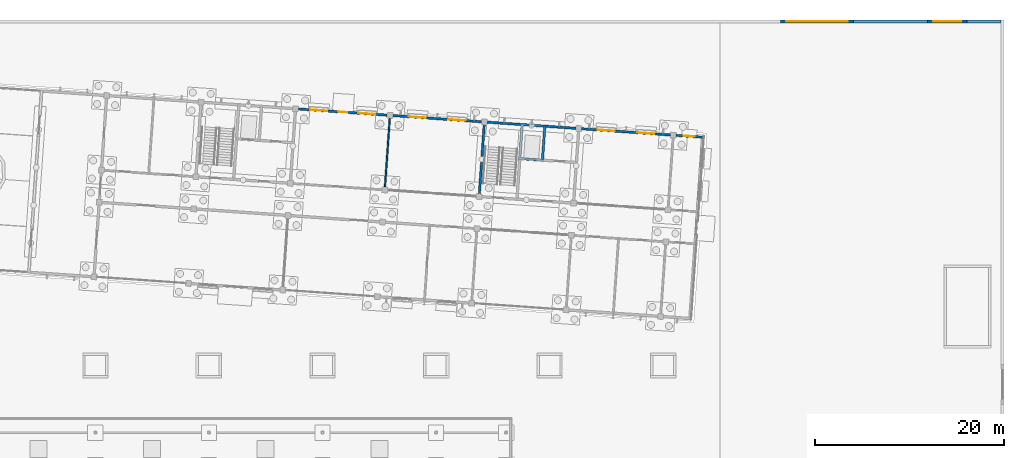
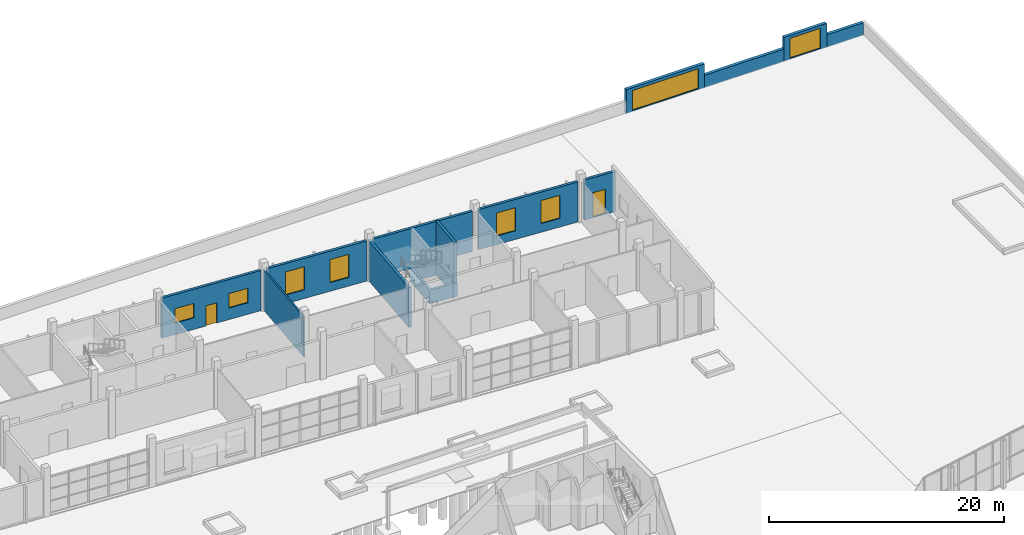
# One storey, part 111 of 157: 13 walls, 7 windows, 3 doors, 10 openings.
"""IFC4 building model written with IfcOpenShell, lengths in metres."""

from ifc_helpers import new_model, si_unit, direction, frame, frame_2d, origin, place, context, subcontext, project, spatial, polyline, rectangle, outline, extrude, material, layer, layer_set, type_object, element, fill, save


model = new_model("IFC4")

# Units and contexts
model_context = context("Model", 3, precision=1e-05, world=origin(), true_north=direction((0.0, 1.0)))
body_context = subcontext(model_context, "Body", "Model", "MODEL_VIEW")
ifc_project = project(units=[si_unit("LENGTHUNIT", "METRE"), si_unit("AREAUNIT", "SQUARE_METRE"), si_unit("VOLUMEUNIT", "CUBIC_METRE"), si_unit("PLANEANGLEUNIT", "RADIAN"), si_unit("MASSUNIT", "GRAM", prefix="KILO")], contexts=[model_context])

# Site, building, storey
site_placement = place(None, origin())
site = spatial("IfcSite", under=ifc_project, at=site_placement, CompositionType="ELEMENT")
building_placement = place(site_placement, origin())
building = spatial("IfcBuilding", under=site, at=building_placement, Name="Windward Yard Aquatics Centre", CompositionType="ELEMENT")
storey_placement = place(building_placement, origin())
storey = spatial("IfcBuildingStorey", under=building, at=storey_placement, Name="L00", CompositionType="ELEMENT", Elevation=0.0)

# Walls
ifc_material_1 = material(Name="Concrete C40/50", Category="concrete")
ifc_layer_1 = layer(ifc_material_1, 0.25)
ifc_layer_set_1 = layer_set([ifc_layer_1], Name="W RC core wall 250 Concrete C40/50")
wall_type_1 = type_object("IfcWallType", Name="W RC core wall 250 Concrete C40/50", PredefinedType="SOLIDWALL", material=ifc_layer_set_1)
wall_1_placement = place(storey_placement, frame((149.404296875, 133.20703125, 0.0), z_axis=(0.0, 0.0, 1.0), x_axis=(0.997565530081, -0.069735308086, 0.0)))
element("IfcWall", 1, at=wall_1_placement, inside=storey, type_object=wall_type_1, Name="W.FW.L00.N.76.8", PredefinedType="SOLIDWALL", context=body_context, shape_type="SweptSolid", body=[
    extrude(rectangle(XDim=9.400146484375, YDim=0.25, at=frame_2d((4.7001953125, 0.0))), origin(), (0.0, 0.0, 1.0), 4.169921875),
])
wall_2_placement = place(storey_placement, frame((148.553955078125, 125.347412109375, 0.0), z_axis=(0.0, 0.0, 1.0), x_axis=(0.069751320509, 0.997564410596, 0.0)))
element("IfcWall", 2, at=wall_2_placement, inside=storey, type_object=wall_type_1, Name="W.WL.L00.011", PredefinedType="SOLIDWALL", context=body_context, shape_type="SweptSolid", body=[
    extrude(rectangle(XDim=7.89990234375, YDim=0.25, at=frame_2d((3.949951171875, 0.0))), origin(), (0.0, 0.0, 1.0), 4.169921875),
])
wall_3_placement = place(storey_placement, frame((155.23828125, 129.1904296875, 0.0), z_axis=(0.0, 0.0, 1.0), x_axis=(0.06978660948, 0.997561942506, 0.0)))
element("IfcWall", 3, at=wall_3_placement, inside=storey, type_object=wall_type_1, Name="W.WL.L00.013", PredefinedType="SOLIDWALL", context=body_context, shape_type="SweptSolid", body=[
    extrude(rectangle(XDim=3.599853515625, YDim=0.25, at=frame_2d((1.7998046875, 0.0))), origin(), (0.0, 0.0, 1.0), 4.169921875),
])

# Wall, openings, door, windows
ifc_layer_2 = layer(ifc_material_1, 0.25)
ifc_layer_set_2 = layer_set([ifc_layer_2], Name="W facade wall 250 Precast Concrete C40/50")
wall_type_2 = type_object("IfcWallType", Name="W facade wall 250 Precast Concrete C40/50", PredefinedType="SOLIDWALL", material=ifc_layer_set_2)
wall_4_placement = place(storey_placement, frame((129.453125, 134.602294921875, 0.0), z_axis=(0.0, 0.0, 1.0), x_axis=(0.997563596579, -0.069762961373, 0.0)))
wall_4 = element("IfcWall", 4, at=wall_4_placement, inside=storey, type_object=wall_type_2, Name="W.FW.L00.N.56.8", PredefinedType="SOLIDWALL", context=body_context, shape_type="SweptSolid", body=[
    extrude(rectangle(XDim=9.39990234375, YDim=0.25, at=frame_2d((4.699951171875, 0.0))), origin(), (0.0, 0.0, 1.0), 4.169921875),
])
opening_1_placement = place(wall_4_placement, frame((4.199951171875, 0.0, 0.0)))
opening_1 = element("IfcOpeningElement", 5, at=opening_1_placement, cuts=wall_4, Name="Opening W0002", PredefinedType="OPENING", context=body_context, shape_type="SweptSolid", body=[
    extrude(rectangle(XDim=1.0, YDim=2.10009765625, at=frame_2d((0.5, 1.050048828125))), frame((0.0, 0.135009765625, 0.0), z_axis=(0.0, -1.0, 0.0), x_axis=(1.0, 0.0, 0.0)), (0.0, 0.0, 1.0), 0.27001953125),
])
opening_2_placement = place(wall_4_placement, frame((1.25, 0.0, 1.199951171875)))
opening_2 = element("IfcOpeningElement", 6, at=opening_2_placement, cuts=wall_4, Name="Opening W0505", PredefinedType="OPENING", context=body_context, shape_type="SweptSolid", body=[
    extrude(rectangle(XDim=1.800048828125, YDim=1.5, at=frame_2d((0.89990234375, 0.75))), frame((0.0, 0.135009765625, 0.0), z_axis=(0.0, -1.0, 0.0), x_axis=(1.0, 0.0, 0.0)), (0.0, 0.0, 1.0), 0.27001953125),
])
opening_3_placement = place(wall_4_placement, frame((6.35009765625, 0.0, 1.199951171875)))
opening_3 = element("IfcOpeningElement", 7, at=opening_3_placement, cuts=wall_4, Name="Opening W0506", PredefinedType="OPENING", context=body_context, shape_type="SweptSolid", body=[
    extrude(rectangle(XDim=1.800048828125, YDim=1.5, at=frame_2d((0.89990234375, 0.75))), frame((0.0, 0.135009765625, 0.0), z_axis=(0.0, -1.0, 0.0), x_axis=(1.0, 0.0, 0.0)), (0.0, 0.0, 1.0), 0.27001953125),
])
ifc_material_2 = material(Name="Timber door leaf", Category="wood")
door_type_1 = type_object("IfcDoorType", Name="W door 1000x2100", OperationType="SINGLE_SWING_LEFT", PredefinedType="DOOR", material=ifc_material_2)
door_1_placement = place(opening_1_placement, origin())
door_1 = element("IfcDoor", 8, at=door_1_placement, inside=storey, type_object=door_type_1, Name="W.DRX.L00.W0002", OperationType="SINGLE_SWING_RIGHT", OverallHeight=2.10009765625, OverallWidth=1.0, PredefinedType="DOOR", context=body_context, shape_type="SweptSolid", body=[
    extrude(rectangle(XDim=1.0, YDim=2.10009765625, at=frame_2d((0.5, 1.050048828125))), frame((0.0, 0.02490234375, 0.0), z_axis=(0.0, -1.0, 0.0), x_axis=(1.0, 0.0, 0.0)), (0.0, 0.0, 1.0), 0.050048828125),
])
fill(opening_1, door_1)
ifc_material_3 = material(Name="Aluminium storm louvre", Category="aluminium")
window_type_1 = type_object("IfcWindowType", Name="W storm louvre 1800x1500", PartitioningType="SINGLE_PANEL", PredefinedType="WINDOW", material=ifc_material_3)
window_1_placement = place(opening_2_placement, origin())
window_1 = element("IfcWindow", 9, at=window_1_placement, inside=storey, type_object=window_type_1, Name="W.WN.L00.W0505", OverallHeight=1.5, OverallWidth=1.800048828125, PartitioningType="SINGLE_PANEL", PredefinedType="WINDOW", context=body_context, shape_type="SweptSolid", body=[
    extrude(rectangle(XDim=1.800048828125, YDim=1.5, at=frame_2d((0.89990234375, 0.75))), frame((0.0, 0.030029296875, 0.0), z_axis=(0.0, -1.0, 0.0), x_axis=(1.0, 0.0, 0.0)), (0.0, 0.0, 1.0), 0.06005859375),
])
fill(opening_2, window_1)
window_2_placement = place(opening_3_placement, origin())
window_2 = element("IfcWindow", 10, at=window_2_placement, inside=storey, type_object=window_type_1, Name="W.WN.L00.W0506", OverallHeight=1.5, OverallWidth=1.800048828125, PartitioningType="SINGLE_PANEL", PredefinedType="WINDOW", context=body_context, shape_type="SweptSolid", body=[
    extrude(rectangle(XDim=1.800048828125, YDim=1.5, at=frame_2d((0.89990234375, 0.75))), frame((0.0, 0.030029296875, 0.0), z_axis=(0.0, -1.0, 0.0), x_axis=(1.0, 0.0, 0.0)), (0.0, 0.0, 1.0), 0.06005859375),
])
fill(opening_3, window_2)

# Wall, openings, windows
wall_5_placement = place(storey_placement, frame((139.4287109375, 133.90478515625, 0.0), z_axis=(0.0, 0.0, 1.0), x_axis=(0.997563722981, -0.069761153894, 0.0)))
wall_5 = element("IfcWall", 11, at=wall_5_placement, inside=storey, type_object=wall_type_2, Name="W.FW.L00.N.66.8", PredefinedType="SOLIDWALL", context=body_context, shape_type="SweptSolid", body=[
    extrude(rectangle(XDim=9.400146484375, YDim=0.25, at=frame_2d((4.7001953125, 0.0))), origin(), (0.0, 0.0, 1.0), 4.169921875),
])
opening_4_placement = place(wall_5_placement, frame((1.699951171875, 0.0, 0.89990234375)))
opening_4 = element("IfcOpeningElement", 12, at=opening_4_placement, cuts=wall_5, Name="Opening W0507", PredefinedType="OPENING", context=body_context, shape_type="SweptSolid", body=[
    extrude(rectangle(XDim=1.800048828125, YDim=2.39990234375, at=frame_2d((0.89990234375, 1.199951171875))), frame((0.0, 0.135009765625, 0.0), z_axis=(0.0, -1.0, 0.0), x_axis=(1.0, 0.0, 0.0)), (0.0, 0.0, 1.0), 0.27001953125),
])
opening_5_placement = place(wall_5_placement, frame((5.89990234375, 0.0, 0.89990234375)))
opening_5 = element("IfcOpeningElement", 13, at=opening_5_placement, cuts=wall_5, Name="Opening W0508", PredefinedType="OPENING", context=body_context, shape_type="SweptSolid", body=[
    extrude(rectangle(XDim=1.800048828125, YDim=2.39990234375, at=frame_2d((0.89990234375, 1.199951171875))), frame((0.0, 0.135009765625, 0.0), z_axis=(0.0, -1.0, 0.0), x_axis=(1.0, 0.0, 0.0)), (0.0, 0.0, 1.0), 0.27001953125),
])
ifc_material_4 = material(Name="Aluminium framed glazing", Category="aluminium")
window_type_2 = type_object("IfcWindowType", Name="W window 1800x2400", PartitioningType="SINGLE_PANEL", PredefinedType="WINDOW", material=ifc_material_4)
window_3_placement = place(opening_4_placement, origin())
window_3 = element("IfcWindow", 14, at=window_3_placement, inside=storey, type_object=window_type_2, Name="W.WN.L00.W0507", OverallHeight=2.39990234375, OverallWidth=1.800048828125, PartitioningType="SINGLE_PANEL", PredefinedType="WINDOW", context=body_context, shape_type="SweptSolid", body=[
    extrude(rectangle(XDim=1.800048828125, YDim=2.39990234375, at=frame_2d((0.89990234375, 1.199951171875))), frame((0.0, 0.030029296875, 0.0), z_axis=(0.0, -1.0, 0.0), x_axis=(1.0, 0.0, 0.0)), (0.0, 0.0, 1.0), 0.06005859375),
])
fill(opening_4, window_3)
window_4_placement = place(opening_5_placement, origin())
window_4 = element("IfcWindow", 15, at=window_4_placement, inside=storey, type_object=window_type_2, Name="W.WN.L00.W0508", OverallHeight=2.39990234375, OverallWidth=1.800048828125, PartitioningType="SINGLE_PANEL", PredefinedType="WINDOW", context=body_context, shape_type="SweptSolid", body=[
    extrude(rectangle(XDim=1.800048828125, YDim=2.39990234375, at=frame_2d((0.89990234375, 1.199951171875))), frame((0.0, 0.030029296875, 0.0), z_axis=(0.0, -1.0, 0.0), x_axis=(1.0, 0.0, 0.0)), (0.0, 0.0, 1.0), 0.06005859375),
])
fill(opening_5, window_4)

wall_6_placement = place(storey_placement, frame((159.3798828125, 132.509521484375, 0.0), z_axis=(0.0, 0.0, 1.0), x_axis=(0.997565530081, -0.069735308086, 0.0)))
wall_6 = element("IfcWall", 16, at=wall_6_placement, inside=storey, type_object=wall_type_2, Name="W.FW.L00.N.86.8", PredefinedType="SOLIDWALL", context=body_context, shape_type="SweptSolid", body=[
    extrude(rectangle(XDim=9.400146484375, YDim=0.25, at=frame_2d((4.7001953125, 0.0))), origin(), (0.0, 0.0, 1.0), 4.169921875),
])
opening_6_placement = place(wall_6_placement, frame((1.699951171875, 0.0, 0.89990234375)))
opening_6 = element("IfcOpeningElement", 17, at=opening_6_placement, cuts=wall_6, Name="Opening W0509", PredefinedType="OPENING", context=body_context, shape_type="SweptSolid", body=[
    extrude(rectangle(XDim=1.800048828125, YDim=2.39990234375, at=frame_2d((0.89990234375, 1.199951171875))), frame((0.0, 0.135009765625, 0.0), z_axis=(0.0, -1.0, 0.0), x_axis=(1.0, 0.0, 0.0)), (0.0, 0.0, 1.0), 0.27001953125),
])
opening_7_placement = place(wall_6_placement, frame((5.89990234375, 0.0, 0.89990234375)))
opening_7 = element("IfcOpeningElement", 18, at=opening_7_placement, cuts=wall_6, Name="Opening W0510", PredefinedType="OPENING", context=body_context, shape_type="SweptSolid", body=[
    extrude(rectangle(XDim=1.800048828125, YDim=2.39990234375, at=frame_2d((0.89990234375, 1.199951171875))), frame((0.0, 0.135009765625, 0.0), z_axis=(0.0, -1.0, 0.0), x_axis=(1.0, 0.0, 0.0)), (0.0, 0.0, 1.0), 0.27001953125),
])
window_5_placement = place(opening_6_placement, origin())
window_5 = element("IfcWindow", 19, at=window_5_placement, inside=storey, type_object=window_type_2, Name="W.WN.L00.W0509", OverallHeight=2.39990234375, OverallWidth=1.800048828125, PartitioningType="SINGLE_PANEL", PredefinedType="WINDOW", context=body_context, shape_type="SweptSolid", body=[
    extrude(rectangle(XDim=1.800048828125, YDim=2.39990234375, at=frame_2d((0.89990234375, 1.199951171875))), frame((0.0, 0.030029296875, 0.0), z_axis=(0.0, -1.0, 0.0), x_axis=(1.0, 0.0, 0.0)), (0.0, 0.0, 1.0), 0.06005859375),
])
fill(opening_6, window_5)
window_6_placement = place(opening_7_placement, origin())
window_6 = element("IfcWindow", 20, at=window_6_placement, inside=storey, type_object=window_type_2, Name="W.WN.L00.W0510", OverallHeight=2.39990234375, OverallWidth=1.800048828125, PartitioningType="SINGLE_PANEL", PredefinedType="WINDOW", context=body_context, shape_type="SweptSolid", body=[
    extrude(rectangle(XDim=1.800048828125, YDim=2.39990234375, at=frame_2d((0.89990234375, 1.199951171875))), frame((0.0, 0.030029296875, 0.0), z_axis=(0.0, -1.0, 0.0), x_axis=(1.0, 0.0, 0.0)), (0.0, 0.0, 1.0), 0.06005859375),
])
fill(opening_7, window_6)

# Wall, opening, window
wall_7_placement = place(storey_placement, frame((169.355712890625, 131.81201171875, 0.0), z_axis=(0.0, 0.0, 1.0), x_axis=(0.997562280272, -0.069781781132, 0.0)))
wall_7 = element("IfcWall", 21, at=wall_7_placement, inside=storey, type_object=wall_type_2, Name="W.FW.L00.N.96.8", PredefinedType="SOLIDWALL", context=body_context, shape_type="SweptSolid", body=[
    extrude(rectangle(XDim=2.9248046875, YDim=0.25, at=frame_2d((1.46240234375, 0.0))), origin(), (0.0, 0.0, 1.0), 4.169921875),
])
opening_8_placement = place(wall_7_placement, frame((0.800048828125, 0.0, 0.10009765625)))
opening_8 = element("IfcOpeningElement", 22, at=opening_8_placement, cuts=wall_7, Name="Opening W0511", PredefinedType="OPENING", context=body_context, shape_type="SweptSolid", body=[
    extrude(rectangle(XDim=1.199951171875, YDim=2.5, at=frame_2d((0.60009765625, 1.25))), frame((0.0, 0.135009765625, 0.0), z_axis=(0.0, -1.0, 0.0), x_axis=(1.0, 0.0, 0.0)), (0.0, 0.0, 1.0), 0.27001953125),
])
window_type_3 = type_object("IfcWindowType", Name="W sidelight 1200x2500", PartitioningType="SINGLE_PANEL", PredefinedType="WINDOW", material=ifc_material_4)
window_7_placement = place(opening_8_placement, origin())
window_7 = element("IfcWindow", 23, at=window_7_placement, inside=storey, type_object=window_type_3, Name="W.WN.L00.W0511", OverallHeight=2.5, OverallWidth=1.199951171875, PartitioningType="SINGLE_PANEL", PredefinedType="WINDOW", context=body_context, shape_type="SweptSolid", body=[
    extrude(rectangle(XDim=1.199951171875, YDim=2.5, at=frame_2d((0.60009765625, 1.25))), frame((0.0, 0.030029296875, 0.0), z_axis=(0.0, -1.0, 0.0), x_axis=(1.0, 0.0, 0.0)), (0.0, 0.0, 1.0), 0.06005859375),
])
fill(opening_8, window_7)

# Walls
ifc_layer_3 = layer(ifc_material_1, 0.25)
ifc_layer_set_3 = layer_set([ifc_layer_3], Name="W lift pit wall 250 Concrete C40/50")
wall_type_3 = type_object("IfcWallType", Name="W lift pit wall 250 Concrete C40/50", PredefinedType="SOLIDWALL", material=ifc_layer_set_3)
wall_8_placement = place(storey_placement, frame((0.0, 0.0, -1.39990234375)))
element("IfcWall", 24, at=wall_8_placement, inside=storey, type_object=wall_type_3, Name="W.PIT.WALL.E", PredefinedType="SOLIDWALL", context=body_context, shape_type="SweptSolid", body=[
    extrude(outline(polyline([(152.710693359375, 129.24169921875), (155.3544921875, 129.056884765625), (155.622802734375, 132.897705078125), (152.9794921875, 133.08251953125), (152.710693359375, 129.24169921875)]), holes=[polyline([(152.977783203125, 129.473876953125), (155.122314453125, 129.32373046875), (155.356201171875, 132.665771484375), (153.211181640625, 132.815673828125), (152.977783203125, 129.473876953125)])]), origin(), (0.0, 0.0, 1.0), 1.39990234375),
])
ifc_material_5 = material(Name="Blockwork partition", Category="masonry")
ifc_layer_4 = layer(ifc_material_5, 0.14990234375)
ifc_layer_set_4 = layer_set([ifc_layer_4], Name="W partition 150 fire rated")
wall_type_4 = type_object("IfcWallType", Name="W partition 150 fire rated", PredefinedType="PARTITIONING", material=ifc_layer_set_4)
wall_9_placement = place(storey_placement, frame((138.578369140625, 126.044921875, 0.0), z_axis=(0.0, 0.0, 1.0), x_axis=(0.069751320509, 0.997564410596, 0.0)))
element("IfcWall", 25, at=wall_9_placement, inside=storey, type_object=wall_type_4, Name="W.WL.L00.008", PredefinedType="PARTITIONING", context=body_context, shape_type="SweptSolid", body=[
    extrude(rectangle(XDim=7.89990234375, YDim=0.14990234375, at=frame_2d((3.949951171875, 0.0))), origin(), (0.0, 0.0, 1.0), 4.169921875),
])
ifc_material_6 = material(Name="Concrete C30/37", Category="concrete")
ifc_layer_5 = layer(ifc_material_6, 0.300048828125)
ifc_layer_set_5 = layer_set([ifc_layer_5], Name="X Boundary Wall Concrete C30/37 300 x 1200")
wall_type_5 = type_object("IfcWallType", Name="X Boundary Wall Concrete C30/37 300 x 1200", PredefinedType="SOLIDWALL", material=ifc_layer_set_5)
wall_10_placement = place(storey_placement, frame((188.10009765625, 143.85009765625, -0.10009765625), z_axis=(0.0, 0.0, 1.0), x_axis=(1.0, 0.0, 0.0)))
element("IfcWall", 26, at=wall_10_placement, inside=storey, type_object=wall_type_5, Name="North street boundary wall", PredefinedType="SOLIDWALL", context=body_context, shape_type="SweptSolid", body=[
    extrude(rectangle(XDim=7.7998046875, YDim=0.300048828125, at=frame_2d((3.89990234375, 0.0))), origin(), (0.0, 0.0, 1.0), 1.300048828125),
])
wall_11_placement = place(storey_placement, frame((200.10009765625, 143.85009765625, -0.10009765625), z_axis=(0.0, 0.0, 1.0), x_axis=(1.0, 0.0, 0.0)))
element("IfcWall", 27, at=wall_11_placement, inside=storey, type_object=wall_type_5, Name="North street boundary wall", PredefinedType="SOLIDWALL", context=body_context, shape_type="SweptSolid", body=[
    extrude(rectangle(XDim=3.599853515625, YDim=0.300048828125, at=frame_2d((1.7998046875, 0.0))), origin(), (0.0, 0.0, 1.0), 1.300048828125),
])

# Wall, opening, door
ifc_layer_6 = layer(ifc_material_6, 0.300048828125)
ifc_layer_set_6 = layer_set([ifc_layer_6], Name="X Gate Wall Concrete C30/37 300 x 2400")
wall_type_6 = type_object("IfcWallType", Name="X Gate Wall Concrete C30/37 300 x 2400", PredefinedType="SOLIDWALL", material=ifc_layer_set_6)
wall_12_placement = place(storey_placement, frame((180.39990234375, 143.85009765625, -0.10009765625), z_axis=(0.0, 0.0, 1.0), x_axis=(1.0, 0.0, 0.0)))
wall_12 = element("IfcWall", 28, at=wall_12_placement, inside=storey, type_object=wall_type_6, Name="Gate wall N3", PredefinedType="SOLIDWALL", context=body_context, shape_type="SweptSolid", body=[
    extrude(rectangle(XDim=7.7001953125, YDim=0.300048828125, at=frame_2d((3.85009765625, 0.0))), origin(), (0.0, 0.0, 1.0), 2.5),
])
opening_9_placement = place(wall_12_placement, frame((0.60009765625, 0.0, 0.10009765625)))
opening_9 = element("IfcOpeningElement", 29, at=opening_9_placement, cuts=wall_12, Name="Opening X0004", PredefinedType="OPENING", context=body_context, shape_type="SweptSolid", body=[
    extrude(rectangle(XDim=6.5, YDim=2.10009765625, at=frame_2d((3.25, 1.050048828125))), frame((0.0, 0.16015625, 0.0), z_axis=(0.0, -1.0, 0.0), x_axis=(1.0, 0.0, 0.0)), (0.0, 0.0, 1.0), 0.320068359375),
])
ifc_material_7 = material(Name="Galvanised steel gate leaf", Category="steel")
door_type_2 = type_object("IfcDoorType", Name="X Vehicle Gate Sliding 6500 x 2100", OperationType="SLIDING_TO_LEFT", PredefinedType="DOOR", material=ifc_material_7)
door_2_placement = place(opening_9_placement, origin())
door_2 = element("IfcDoor", 30, at=door_2_placement, inside=storey, type_object=door_type_2, Name="Vehicle gate B", OperationType="SLIDING_TO_LEFT", OverallHeight=2.10009765625, OverallWidth=6.5, PredefinedType="DOOR", context=body_context, shape_type="SweptSolid", body=[
    extrude(rectangle(XDim=6.5, YDim=2.10009765625, at=frame_2d((3.25, 1.050048828125))), frame((0.0, 0.02490234375, 0.0), z_axis=(0.0, -1.0, 0.0), x_axis=(1.0, 0.0, 0.0)), (0.0, 0.0, 1.0), 0.050048828125),
])
fill(opening_9, door_2)

wall_13_placement = place(storey_placement, frame((195.89990234375, 143.85009765625, -0.10009765625), z_axis=(0.0, 0.0, 1.0), x_axis=(1.0, 0.0, 0.0)))
wall_13 = element("IfcWall", 31, at=wall_13_placement, inside=storey, type_object=wall_type_6, Name="Gate wall N4", PredefinedType="SOLIDWALL", context=body_context, shape_type="SweptSolid", body=[
    extrude(rectangle(XDim=4.2001953125, YDim=0.300048828125, at=frame_2d((2.10009765625, 0.0))), origin(), (0.0, 0.0, 1.0), 2.5),
])
opening_10_placement = place(wall_13_placement, frame((0.60009765625, 0.0, 0.10009765625)))
opening_10 = element("IfcOpeningElement", 32, at=opening_10_placement, cuts=wall_13, Name="Opening X0005", PredefinedType="OPENING", context=body_context, shape_type="SweptSolid", body=[
    extrude(rectangle(XDim=3.0, YDim=2.10009765625, at=frame_2d((1.5, 1.050048828125))), frame((0.0, 0.16015625, 0.0), z_axis=(0.0, -1.0, 0.0), x_axis=(1.0, 0.0, 0.0)), (0.0, 0.0, 1.0), 0.320068359375),
])
door_type_3 = type_object("IfcDoorType", Name="X Pedestrian Gate Double 3000 x 2100", OperationType="DOUBLE_DOOR_DOUBLE_SWING", PredefinedType="DOOR", material=ifc_material_7)
door_3_placement = place(opening_10_placement, origin())
door_3 = element("IfcDoor", 33, at=door_3_placement, inside=storey, type_object=door_type_3, Name="Pedestrian exit gate G3", OperationType="DOUBLE_DOOR_DOUBLE_SWING", OverallHeight=2.10009765625, OverallWidth=3.0, PredefinedType="DOOR", context=body_context, shape_type="SweptSolid", body=[
    extrude(rectangle(XDim=3.0, YDim=2.10009765625, at=frame_2d((1.5, 1.050048828125))), frame((0.0, 0.02490234375, 0.0), z_axis=(0.0, -1.0, 0.0), x_axis=(1.0, 0.0, 0.0)), (0.0, 0.0, 1.0), 0.050048828125),
])
fill(opening_10, door_3)

save(model, "model.ifc")
